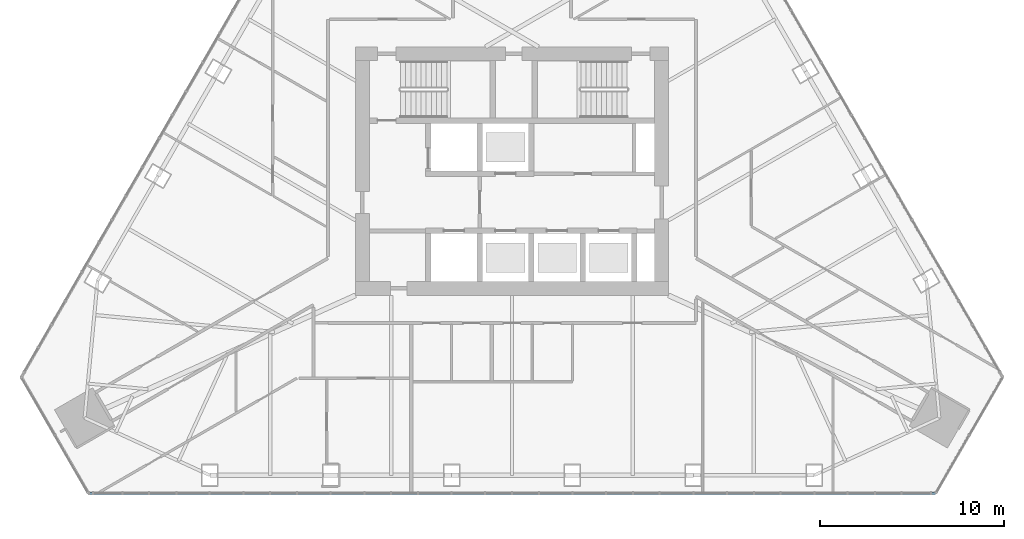
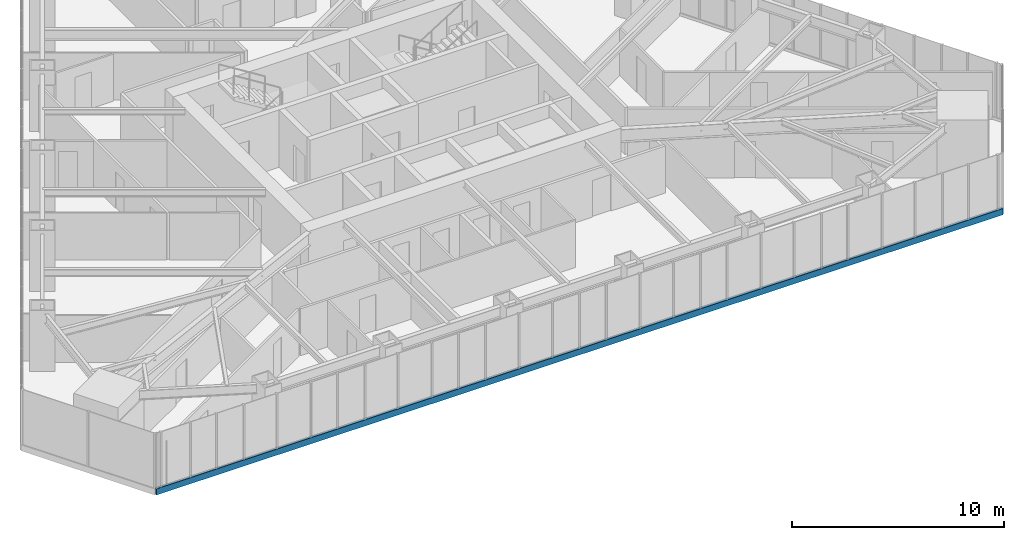
# One storey, part 3 of 21: 1 member, 1 element without a shape of its own.
"""IFC4 building model written with IfcOpenShell, lengths in metres."""

from ifc_helpers import new_model, si_unit, direction, frame, origin, origin_2d, place, context, subcontext, project, spatial, rectangle, extrude, material, layer, layer_set, material_profile, profile_set, type_object, element, aggregate, save


model = new_model("IFC4")

# Units and contexts
model_context = context("Model", 3, precision=1e-05, world=origin(), true_north=direction((0.0, 1.0)))
body_context = subcontext(model_context, "Body", "Model", "MODEL_VIEW")
ifc_project = project(units=[si_unit("LENGTHUNIT", "METRE"), si_unit("AREAUNIT", "SQUARE_METRE"), si_unit("VOLUMEUNIT", "CUBIC_METRE"), si_unit("PLANEANGLEUNIT", "RADIAN"), si_unit("MASSUNIT", "GRAM", prefix="KILO")], contexts=[model_context])

# Site, building, storey
site_placement = place(None, origin())
site = spatial("IfcSite", under=ifc_project, at=site_placement, CompositionType="ELEMENT")
building_placement = place(site_placement, origin())
building = spatial("IfcBuilding", under=site, at=building_placement, Name="Firuza Gate Tower and Library", CompositionType="ELEMENT")
storey_placement = place(building_placement, frame((0.0, 0.0, 274.10009765625)))
storey = spatial("IfcBuildingStorey", under=building, at=storey_placement, Name="L65", CompositionType="ELEMENT", Elevation=274.10009765625)

# Curtain wall, member
ifc_material_1 = material(Name="Aluminium 6063-T6", Category="aluminium")
ifc_layer = layer(ifc_material_1, 0.14990234375)
ifc_layer_set = layer_set([ifc_layer], Name="Unitised curtain wall, residences")
curtain_wall_type = type_object("IfcCurtainWallType", Name="Unitised curtain wall, residences", PredefinedType="NOTDEFINED", material=ifc_layer_set)
curtain_wall_placement = place(storey_placement, origin())
curtain_wall = element("IfcCurtainWall", 1, at=curtain_wall_placement, inside=storey, type_object=curtain_wall_type, Name="CW3 L65 S face", PredefinedType="NOTDEFINED")
ifc_material_2 = material(Name="Aluminium 6063-T6", Category="aluminium")
ifc_material_profile = material_profile(ifc_material_2, rectangle(XDim=0.14990234375, YDim=0.35009765625, at=origin_2d()))
ifc_profile_set = profile_set([ifc_material_profile], Name="Aluminium 6063-T6")
member_type = type_object("IfcMemberType", Name="Curtain wall transom 350x150", PredefinedType="USERDEFINED", material=ifc_profile_set)
member_placement = place(storey_placement, frame((51.97802734375, 57.501220703125, -0.025146484375), z_axis=(1.0, 0.0, 0.0), x_axis=(0.0, 1.0, 0.0)))
member = element("IfcMember", 2, at=member_placement, type_object=member_type, Name="Transom", ObjectType="TRANSOM", PredefinedType="USERDEFINED", context=body_context, shape_type="SweptSolid", body=[
    extrude(rectangle(XDim=0.14990234375, YDim=0.35009765625, at=origin_2d()), origin(), (0.0, 0.0, 1.0), 46.0439453125),
])
aggregate(curtain_wall, [member])

save(model, "model.ifc")
